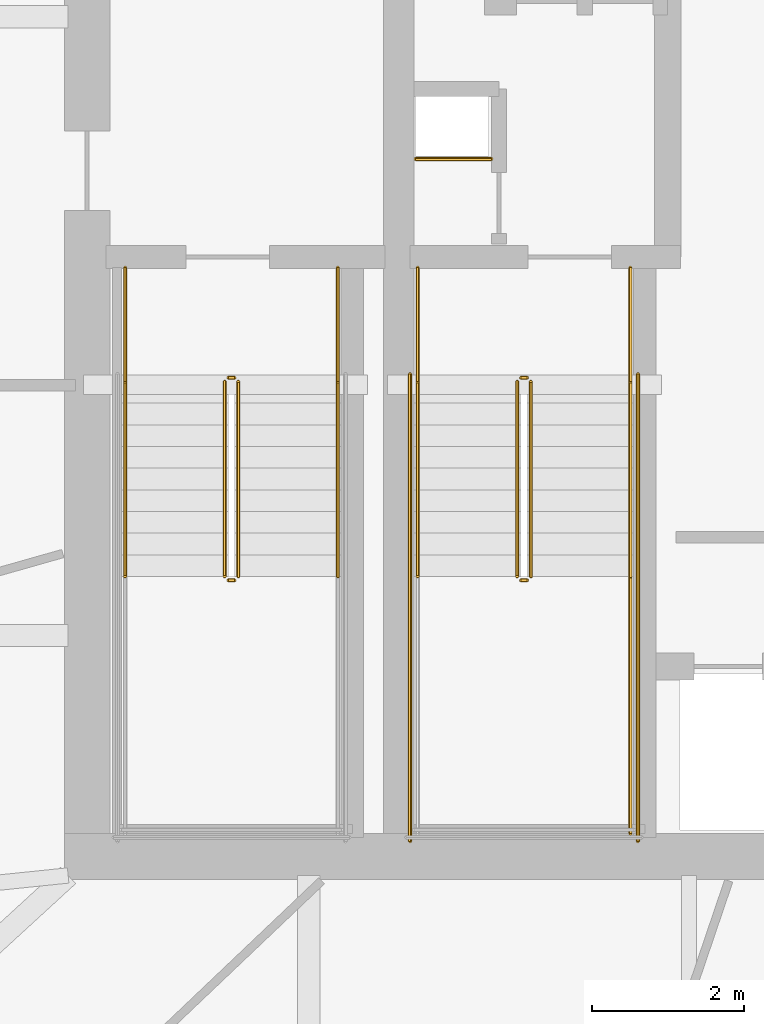
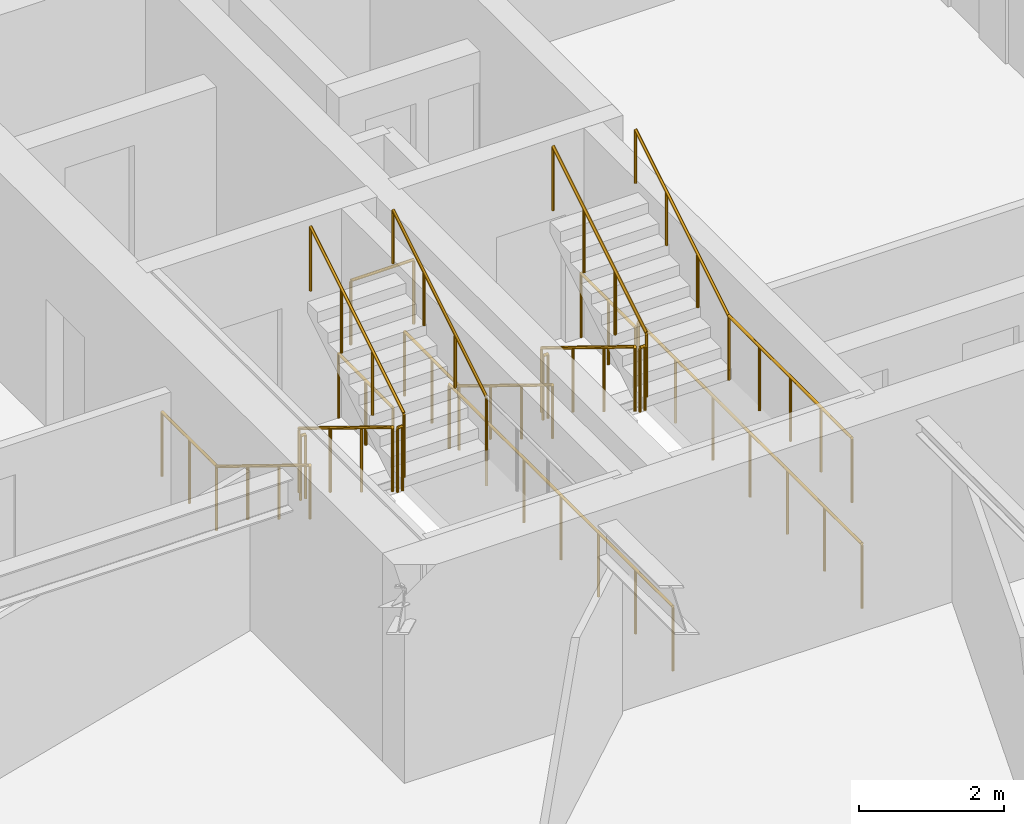
# One storey, part 20 of 22: 20 railings.
"""IFC4 building model written with IfcOpenShell, lengths in metres."""

import ifcopenshell
import ifcopenshell.guid

model = None  # the IFC model being written
_history = None  # IfcOwnerHistory: only IFC2X3 demands one
_inside = {}  # id of a spatial element -> (the spatial element, [elements in it])
_under = {}  # id of a project, library or spatial element -> (it, [spatial elements below it])
_declared = {}  # id of a project -> (the project, [libraries it declares])
_typed = {}  # id of a type object -> (the type object, [elements of that type])
_made_of = {}  # id of a material, layer set ... -> (it, [elements and type objects made of it])


def new_model(schema):
    """Start an empty IFC model of exactly this schema.

    Asked for "IFC4X3", IfcOpenShell would pick the latest addendum, in which some entities
    have other attributes; the version numbers below select the first issue.
    IFC2X3 requires an IfcOwnerHistory on every rooted entity: one is made here for all.
    """
    global model, _history
    if schema == "IFC4X3":
        model = ifcopenshell.file(schema_version=(4, 3, 0, 0))
    else:
        model = ifcopenshell.file(schema=schema)
    _inside.clear()
    _under.clear()
    _declared.clear()
    _typed.clear()
    _made_of.clear()
    _history = None
    if model.schema == "IFC2X3":
        org = make("IfcOrganization", Name="unknown")
        user = make(
            "IfcPersonAndOrganization",
            ThePerson=make("IfcPerson", FamilyName="unknown"),
            TheOrganization=org,
        )
        app = make(
            "IfcApplication",
            ApplicationDeveloper=org,
            Version="unknown",
            ApplicationFullName="unknown",
            ApplicationIdentifier="unknown",
        )
        _history = make(
            "IfcOwnerHistory",
            OwningUser=user,
            OwningApplication=app,
            ChangeAction="ADDED",
            CreationDate=0,
        )
    return model


def make(cls, **values):
    """One entity of the class cls with the attributes given. An attribute that is None is left unset."""
    return model.create_entity(
        cls, **{name: value for name, value in values.items() if value is not None}
    )


def rooted(cls, **values):
    """An entity with a GlobalId (a new one), such as an element, a storey or a relation."""
    return make(cls, GlobalId=ifcopenshell.guid.new(), OwnerHistory=_history, **values)


def si_unit(unit_type, name, prefix=None):
    """IfcSIUnit, for example si_unit("LENGTHUNIT", "METRE", prefix="MILLI")."""
    return make("IfcSIUnit", UnitType=unit_type, Prefix=prefix, Name=name)


def assignment(units):
    """IfcUnitAssignment: the units of a project."""
    return None if units is None else make("IfcUnitAssignment", Units=units)


def point(xyz):
    """IfcCartesianPoint."""
    return None if xyz is None else make("IfcCartesianPoint", Coordinates=xyz)


def direction(xyz):
    """IfcDirection."""
    return None if xyz is None else make("IfcDirection", DirectionRatios=xyz)


def frame(location, z_axis=None, x_axis=None):
    """IfcAxis2Placement3D, a coordinate frame: its origin and axes. An axis left out is left unset."""
    return make(
        "IfcAxis2Placement3D",
        Location=point(location),
        Axis=direction(z_axis),
        RefDirection=direction(x_axis),
    )


def frame_2d(location, x_axis=None):
    """IfcAxis2Placement2D, a coordinate frame in the plane: its origin and x axis."""
    return make(
        "IfcAxis2Placement2D", Location=point(location), RefDirection=direction(x_axis)
    )


def origin():
    """The frame at (0, 0, 0) with its axes left unset."""
    return frame((0.0, 0.0, 0.0))


def origin_2d():
    """The frame at (0, 0) in the plane with its x axis left unset."""
    return frame_2d((0.0, 0.0))


def place(relative_to, where):
    """IfcLocalPlacement: puts the frame where relative to a parent placement (None: the world)."""
    return make(
        "IfcLocalPlacement", PlacementRelTo=relative_to, RelativePlacement=where
    )


def context(
    kind, dimensions, precision=None, world=None, true_north=None, identifier=None
):
    """IfcGeometricRepresentationContext, for example the 3D "Model" context."""
    return make(
        "IfcGeometricRepresentationContext",
        ContextIdentifier=identifier,
        ContextType=kind,
        CoordinateSpaceDimension=dimensions,
        Precision=precision,
        WorldCoordinateSystem=world,
        TrueNorth=true_north,
    )


def subcontext(parent, identifier, kind, view, scale=None):
    """IfcGeometricRepresentationSubContext, for example "Body" below "Model"."""
    return make(
        "IfcGeometricRepresentationSubContext",
        ContextIdentifier=identifier,
        ContextType=kind,
        ParentContext=parent,
        TargetScale=scale,
        TargetView=view,
    )


def project(units=None, contexts=None):
    """IfcProject with its units and contexts."""
    return rooted(
        "IfcProject",
        Name="project",
        RepresentationContexts=contexts,
        UnitsInContext=assignment(units),
    )


def spatial(cls, under=None, at=None, **own):
    """A site, building, storey or space (cls), placed at a placement, below another one or the project."""
    s = rooted(cls, ObjectPlacement=at, **own)
    if under is not None:
        _under.setdefault(under.id(), (under, []))[1].append(s)
    return s


def profile(cls, at=None, kind="AREA", **sizes):
    """A parametric profile (cls). Its sizes go by their IFC names, for example OverallWidth=200.0."""
    return make(cls, ProfileType=kind, Position=at, **sizes)


def circle(**sizes):
    """IfcCircleProfileDef."""
    return profile("IfcCircleProfileDef", **sizes)


def extrude(swept, where, along, depth):
    """IfcExtrudedAreaSolid: the profile swept, set in the frame where, extruded along a direction by depth."""
    return make(
        "IfcExtrudedAreaSolid",
        SweptArea=swept,
        Position=where,
        ExtrudedDirection=direction(along),
        Depth=depth,
    )


def shape(context_of_items, identifier, shape_type, items):
    """IfcShapeRepresentation: the items that make up one representation, for example the "Body"."""
    return make(
        "IfcShapeRepresentation",
        ContextOfItems=context_of_items,
        RepresentationIdentifier=identifier,
        RepresentationType=shape_type,
        Items=items,
    )


def material(Name=None, Category=None):
    """IfcMaterial."""
    return make("IfcMaterial", Name=Name, Category=Category)


def made_of(thing, what):
    """Note that an element or type object is made of a material, layer set ...; save() writes the relation."""
    if what is not None:
        _made_of.setdefault(what.id(), (what, []))[1].append(thing)
    return thing


def type_object(cls, material=None, **own):
    """A type object (cls), such as IfcWallType, which elements share."""
    return made_of(rooted(cls, **own), material)


def element(
    cls,
    number,
    at=None,
    inside=None,
    cuts=None,
    type_object=None,
    material=None,
    context=None,
    identifier="Body",
    shape_type=None,
    held_by="IfcProductDefinitionShape",
    body=None,
    shapes=None,
    **own,
):
    """One element of the class cls, such as IfcWall. Its Tag is "e" and its number.

    at: its placement. inside: the storey or other place that contains it. cuts: it is an
    opening in that element (IfcRelVoidsElement). A single representation is given by context,
    identifier, shape_type and body (its items); several are given by shapes. held_by: the class
    of the entity that holds the representations. save() writes the other relations.
    """
    e = rooted(cls, Tag="e%d" % number, ObjectPlacement=at, **own)
    if body is not None:
        shapes = [shape(context, identifier, shape_type, body)]
    if shapes is not None:
        e.Representation = make(held_by, Representations=shapes)
    if inside is not None:
        _inside.setdefault(inside.id(), (inside, []))[1].append(e)
    if cuts is not None:
        rooted(
            "IfcRelVoidsElement", RelatingBuildingElement=cuts, RelatedOpeningElement=e
        )
    if type_object is not None:
        _typed.setdefault(type_object.id(), (type_object, []))[1].append(e)
    return made_of(e, material)


def aggregate(whole, parts):
    """IfcRelAggregates: a whole, such as a stair, and the parts it consists of."""
    return rooted("IfcRelAggregates", RelatingObject=whole, RelatedObjects=parts)


def save(model, path):
    """Write the relations noted so far, then the file.

    IfcRelAggregates (storeys below a building ...), IfcRelContainedInSpatialStructure (elements
    in a storey), IfcRelDefinesByType, IfcRelAssociatesMaterial and IfcRelDeclares: one each for
    every whole, place, type object, material and project.
    """
    for whole, parts in _under.values():
        aggregate(whole, parts)
    for where, things in _inside.values():
        rooted(
            "IfcRelContainedInSpatialStructure",
            RelatedElements=things,
            RelatingStructure=where,
        )
    for kind, things in _typed.values():
        rooted("IfcRelDefinesByType", RelatedObjects=things, RelatingType=kind)
    for what, things in _made_of.values():
        rooted("IfcRelAssociatesMaterial", RelatedObjects=things, RelatingMaterial=what)
    for by, libraries in _declared.values():
        rooted("IfcRelDeclares", RelatingContext=by, RelatedDefinitions=libraries)
    model.write(path)


model = new_model("IFC4")

# Units and contexts
model_context = context("Model", 3, precision=1e-05, world=origin(), true_north=direction((0.0, 1.0)))
body_context = subcontext(model_context, "Body", "Model", "MODEL_VIEW")
ifc_project = project(units=[si_unit("LENGTHUNIT", "METRE"), si_unit("AREAUNIT", "SQUARE_METRE"), si_unit("VOLUMEUNIT", "CUBIC_METRE"), si_unit("PLANEANGLEUNIT", "RADIAN"), si_unit("MASSUNIT", "GRAM", prefix="KILO")], contexts=[model_context])

# Site, building, storey
site_placement = place(None, origin())
site = spatial("IfcSite", under=ifc_project, at=site_placement, CompositionType="ELEMENT")
building_placement = place(site_placement, origin())
building = spatial("IfcBuilding", under=site, at=building_placement, Name="Bramvorn Convention Spire", CompositionType="ELEMENT")
storey_placement = place(building_placement, frame((0.0, 0.0, 116.800048828125)))
storey = spatial("IfcBuildingStorey", under=building, at=storey_placement, Name="L28", CompositionType="ELEMENT", Elevation=116.800048828125)

# Railings
ifc_material_1 = material(Name="Painted Steel Balustrade & Guardrail", Category="steel")
railing_type_1 = type_object("IfcRailingType", Name="RL-STAIR-GUARD-1100", PredefinedType="GUARDRAIL", material=ifc_material_1)
railing_1_placement = place(storey_placement, frame((28.81005859375, 25.050048828125, 0.175048828125)))
element("IfcRailing", 1, at=railing_1_placement, inside=storey, type_object=railing_type_1, Name="L28 ST1 stair guard 1", PredefinedType="GUARDRAIL", context=body_context, shape_type="SweptSolid", body=[
    extrude(circle(Radius=0.02392578125, at=origin_2d()), frame((0.0, 0.0, 1.076171875), z_axis=(0.0, -0.852173129349, 0.523259933127), x_axis=(1.0, 0.0, 0.0)), (0.0, 0.0, 1.0), 3.009765625),
    extrude(circle(Radius=0.02099609375, at=origin_2d()), origin(), (0.0, 0.0, 1.0), 1.052001953125),
    extrude(circle(Radius=0.02099609375, at=origin_2d()), frame((0.0, -0.85498046875, 0.52490234375)), (0.0, 0.0, 1.0), 1.052001953125),
    extrude(circle(Radius=0.02099609375, at=origin_2d()), frame((0.0, -1.7099609375, 1.050048828125)), (0.0, 0.0, 1.0), 1.052001953125),
    extrude(circle(Radius=0.02099609375, at=origin_2d()), frame((0.0, -2.56494140625, 1.574951171875)), (0.0, 0.0, 1.0), 1.052001953125),
])
railing_2_placement = place(storey_placement, frame((28.860107421875, 22.43505859375, 1.75)))
element("IfcRailing", 2, at=railing_2_placement, inside=storey, type_object=railing_type_1, Name="L28 ST1 stair guard 2", PredefinedType="GUARDRAIL", context=body_context, shape_type="SweptSolid", body=[
    extrude(circle(Radius=0.02392578125, at=origin_2d()), frame((0.0, 0.0, 1.076171875), z_axis=(1.0, 0.0, 0.0), x_axis=(0.0, 1.0, 0.0)), (0.0, 0.0, 1.0), 0.079833984375),
    extrude(circle(Radius=0.02099609375, at=origin_2d()), origin(), (0.0, 0.0, 1.0), 1.052001953125),
    extrude(circle(Radius=0.02099609375, at=origin_2d()), frame((0.079833984375, 0.0, 0.0)), (0.0, 0.0, 1.0), 1.052001953125),
])
railing_3_placement = place(storey_placement, frame((28.989990234375, 22.485107421875, 1.925048828125)))
element("IfcRailing", 3, at=railing_3_placement, inside=storey, type_object=railing_type_1, Name="L28 ST1 stair guard 6", PredefinedType="GUARDRAIL", context=body_context, shape_type="SweptSolid", body=[
    extrude(circle(Radius=0.02392578125, at=origin_2d()), frame((0.0, 0.0, 1.076171875), z_axis=(0.0, 0.852173129349, 0.523259933127), x_axis=(-1.0, 0.0, 0.0)), (0.0, 0.0, 1.0), 3.009765625),
    extrude(circle(Radius=0.02099609375, at=origin_2d()), origin(), (0.0, 0.0, 1.0), 1.052001953125),
    extrude(circle(Radius=0.02099609375, at=origin_2d()), frame((0.0, 0.85498046875, 0.52490234375)), (0.0, 0.0, 1.0), 1.052001953125),
    extrude(circle(Radius=0.02099609375, at=origin_2d()), frame((0.0, 1.7099609375, 1.050048828125)), (0.0, 0.0, 1.0), 1.052001953125),
    extrude(circle(Radius=0.02099609375, at=origin_2d()), frame((0.0, 2.56494140625, 1.574951171875)), (0.0, 0.0, 1.0), 1.052001953125),
])
railing_4_placement = place(storey_placement, frame((28.860107421875, 25.10009765625, 0.0)))
element("IfcRailing", 4, at=railing_4_placement, inside=storey, type_object=railing_type_1, Name="L28 ST1 stair guard 7", PredefinedType="GUARDRAIL", context=body_context, shape_type="SweptSolid", body=[
    extrude(circle(Radius=0.02392578125, at=origin_2d()), frame((0.0, 0.0, 1.076171875), z_axis=(1.0, 0.0, 0.0), x_axis=(0.0, 1.0, 0.0)), (0.0, 0.0, 1.0), 0.079833984375),
    extrude(circle(Radius=0.02099609375, at=origin_2d()), origin(), (0.0, 0.0, 1.0), 1.052001953125),
    extrude(circle(Radius=0.02099609375, at=origin_2d()), frame((0.079833984375, 0.0, 0.0)), (0.0, 0.0, 1.0), 1.052001953125),
])
for number, where, name in (
    (5, (27.5, 26.550048828125, 0.0), "L28 ST1 stair guard 8"),
    (6, (30.300048828125, 26.550048828125, 0.0), "L28 ST1 stair guard 9"),
):
    element("IfcRailing", number, at=place(storey_placement, frame(where)), inside=storey, type_object=railing_type_1, Name=name, PredefinedType="GUARDRAIL", context=body_context, shape_type="SweptSolid", body=[
        extrude(circle(Radius=0.02392578125, at=origin_2d()), frame((0.0, 0.0, 1.076171875), z_axis=(0.0, -1.0, 0.0), x_axis=(1.0, 0.0, 0.0)), (0.0, 0.0, 1.0), 1.5),
        extrude(circle(Radius=0.02099609375, at=origin_2d()), origin(), (0.0, 0.0, 1.0), 1.052001953125),
        extrude(circle(Radius=0.02099609375, at=origin_2d()), frame((0.0, -0.75, 0.0)), (0.0, 0.0, 1.0), 1.052001953125),
        extrude(circle(Radius=0.02099609375, at=origin_2d()), frame((0.0, -1.5, 0.0)), (0.0, 0.0, 1.0), 1.052001953125),
    ])
railing_5_placement = place(storey_placement, frame((32.659912109375, 25.050048828125, 0.175048828125)))
element("IfcRailing", 7, at=railing_5_placement, inside=storey, type_object=railing_type_1, Name="L28 ST3 stair guard 1", PredefinedType="GUARDRAIL", context=body_context, shape_type="SweptSolid", body=[
    extrude(circle(Radius=0.02392578125, at=origin_2d()), frame((0.0, 0.0, 1.076171875), z_axis=(0.0, -0.852173129349, 0.523259933127), x_axis=(1.0, 0.0, 0.0)), (0.0, 0.0, 1.0), 3.009765625),
    extrude(circle(Radius=0.02099609375, at=origin_2d()), origin(), (0.0, 0.0, 1.0), 1.052001953125),
    extrude(circle(Radius=0.02099609375, at=origin_2d()), frame((0.0, -0.85498046875, 0.52490234375)), (0.0, 0.0, 1.0), 1.052001953125),
    extrude(circle(Radius=0.02099609375, at=origin_2d()), frame((0.0, -1.7099609375, 1.050048828125)), (0.0, 0.0, 1.0), 1.052001953125),
    extrude(circle(Radius=0.02099609375, at=origin_2d()), frame((0.0, -2.56494140625, 1.574951171875)), (0.0, 0.0, 1.0), 1.052001953125),
])
railing_6_placement = place(storey_placement, frame((32.7099609375, 22.43505859375, 1.75)))
element("IfcRailing", 8, at=railing_6_placement, inside=storey, type_object=railing_type_1, Name="L28 ST3 stair guard 2", PredefinedType="GUARDRAIL", context=body_context, shape_type="SweptSolid", body=[
    extrude(circle(Radius=0.02392578125, at=origin_2d()), frame((0.0, 0.0, 1.076171875), z_axis=(1.0, 0.0, 0.0), x_axis=(0.0, 1.0, 0.0)), (0.0, 0.0, 1.0), 0.080078125),
    extrude(circle(Radius=0.02099609375, at=origin_2d()), origin(), (0.0, 0.0, 1.0), 1.052001953125),
    extrude(circle(Radius=0.02099609375, at=origin_2d()), frame((0.080078125, 0.0, 0.0)), (0.0, 0.0, 1.0), 1.052001953125),
])
railing_7_placement = place(storey_placement, frame((34.14990234375, 22.485107421875, 1.75)))
element("IfcRailing", 9, at=railing_7_placement, inside=storey, type_object=railing_type_1, Name="L28 ST3 stair guard 4", PredefinedType="GUARDRAIL", context=body_context, shape_type="SweptSolid", body=[
    extrude(circle(Radius=0.02392578125, at=origin_2d()), frame((0.0, 0.0, 1.076171875), z_axis=(0.0, -1.0, 0.0), x_axis=(1.0, 0.0, 0.0)), (0.0, 0.0, 1.0), 3.385009765625),
    extrude(circle(Radius=0.02099609375, at=origin_2d()), origin(), (0.0, 0.0, 1.0), 1.052001953125),
    extrude(circle(Radius=0.02099609375, at=origin_2d()), frame((0.0, -0.84619140625, 0.0)), (0.0, 0.0, 1.0), 1.052001953125),
    extrude(circle(Radius=0.02099609375, at=origin_2d()), frame((0.0, -1.6923828125, 0.0)), (0.0, 0.0, 1.0), 1.052001953125),
    extrude(circle(Radius=0.02099609375, at=origin_2d()), frame((0.0, -2.538818359375, 0.0)), (0.0, 0.0, 1.0), 1.052001953125),
    extrude(circle(Radius=0.02099609375, at=origin_2d()), frame((0.0, -3.385009765625, 0.0)), (0.0, 0.0, 1.0), 1.052001953125),
])
railing_8_placement = place(storey_placement, frame((32.840087890625, 22.485107421875, 1.925048828125)))
element("IfcRailing", 10, at=railing_8_placement, inside=storey, type_object=railing_type_1, Name="L28 ST3 stair guard 6", PredefinedType="GUARDRAIL", context=body_context, shape_type="SweptSolid", body=[
    extrude(circle(Radius=0.02392578125, at=origin_2d()), frame((0.0, 0.0, 1.076171875), z_axis=(0.0, 0.852173129349, 0.523259933127), x_axis=(-1.0, 0.0, 0.0)), (0.0, 0.0, 1.0), 3.009765625),
    extrude(circle(Radius=0.02099609375, at=origin_2d()), origin(), (0.0, 0.0, 1.0), 1.052001953125),
    extrude(circle(Radius=0.02099609375, at=origin_2d()), frame((0.0, 0.85498046875, 0.52490234375)), (0.0, 0.0, 1.0), 1.052001953125),
    extrude(circle(Radius=0.02099609375, at=origin_2d()), frame((0.0, 1.7099609375, 1.050048828125)), (0.0, 0.0, 1.0), 1.052001953125),
    extrude(circle(Radius=0.02099609375, at=origin_2d()), frame((0.0, 2.56494140625, 1.574951171875)), (0.0, 0.0, 1.0), 1.052001953125),
])
railing_9_placement = place(storey_placement, frame((32.7099609375, 25.10009765625, 0.0)))
element("IfcRailing", 11, at=railing_9_placement, inside=storey, type_object=railing_type_1, Name="L28 ST3 stair guard 7", PredefinedType="GUARDRAIL", context=body_context, shape_type="SweptSolid", body=[
    extrude(circle(Radius=0.02392578125, at=origin_2d()), frame((0.0, 0.0, 1.076171875), z_axis=(1.0, 0.0, 0.0), x_axis=(0.0, 1.0, 0.0)), (0.0, 0.0, 1.0), 0.080078125),
    extrude(circle(Radius=0.02099609375, at=origin_2d()), origin(), (0.0, 0.0, 1.0), 1.052001953125),
    extrude(circle(Radius=0.02099609375, at=origin_2d()), frame((0.080078125, 0.0, 0.0)), (0.0, 0.0, 1.0), 1.052001953125),
])
for number, where, name in (
    (12, (31.35009765625, 26.550048828125, 0.0), "L28 ST3 stair guard 8"),
    (13, (34.14990234375, 26.550048828125, 0.0), "L28 ST3 stair guard 9"),
):
    element("IfcRailing", number, at=place(storey_placement, frame(where)), inside=storey, type_object=railing_type_1, Name=name, PredefinedType="GUARDRAIL", context=body_context, shape_type="SweptSolid", body=[
        extrude(circle(Radius=0.02392578125, at=origin_2d()), frame((0.0, 0.0, 1.076171875), z_axis=(0.0, -1.0, 0.0), x_axis=(1.0, 0.0, 0.0)), (0.0, 0.0, 1.0), 1.5),
        extrude(circle(Radius=0.02099609375, at=origin_2d()), origin(), (0.0, 0.0, 1.0), 1.052001953125),
        extrude(circle(Radius=0.02099609375, at=origin_2d()), frame((0.0, -0.75, 0.0)), (0.0, 0.0, 1.0), 1.052001953125),
        extrude(circle(Radius=0.02099609375, at=origin_2d()), frame((0.0, -1.5, 0.0)), (0.0, 0.0, 1.0), 1.052001953125),
    ])
for number, where, name in (
    (14, (31.25, 25.14990234375, 0.0), "L28 ST3 stair guard 10"),
    (15, (34.25, 25.14990234375, 0.0), "L28 ST3 stair guard 11"),
):
    element("IfcRailing", number, at=place(storey_placement, frame(where)), inside=storey, type_object=railing_type_1, Name=name, PredefinedType="GUARDRAIL", context=body_context, shape_type="SweptSolid", body=[
        extrude(circle(Radius=0.02392578125, at=origin_2d()), frame((0.0, 0.0, 1.076171875), z_axis=(0.0, -1.0, 0.0), x_axis=(1.0, 0.0, 0.0)), (0.0, 0.0, 1.0), 6.14990234375),
        extrude(circle(Radius=0.02099609375, at=origin_2d()), origin(), (0.0, 0.0, 1.0), 1.052001953125),
        extrude(circle(Radius=0.02099609375, at=origin_2d()), frame((0.0, -1.02490234375, 0.0)), (0.0, 0.0, 1.0), 1.052001953125),
        extrude(circle(Radius=0.02099609375, at=origin_2d()), frame((0.0, -2.050048828125, 0.0)), (0.0, 0.0, 1.0), 1.052001953125),
        extrude(circle(Radius=0.02099609375, at=origin_2d()), frame((0.0, -3.074951171875, 0.0)), (0.0, 0.0, 1.0), 1.052001953125),
        extrude(circle(Radius=0.02099609375, at=origin_2d()), frame((0.0, -4.099853515625, 0.0)), (0.0, 0.0, 1.0), 1.052001953125),
        extrude(circle(Radius=0.02099609375, at=origin_2d()), frame((0.0, -5.125, 0.0)), (0.0, 0.0, 1.0), 1.052001953125),
        extrude(circle(Radius=0.02099609375, at=origin_2d()), frame((0.0, -6.14990234375, 0.0)), (0.0, 0.0, 1.0), 1.052001953125),
    ])
railing_10_placement = place(storey_placement, frame((31.320068359375, 27.97998046875, 0.0)))
element("IfcRailing", 16, at=railing_10_placement, inside=storey, type_object=railing_type_1, Name="L28 Telecom riser shaft opening safety guardrail", PredefinedType="GUARDRAIL", context=body_context, shape_type="SweptSolid", body=[
    extrude(circle(Radius=0.02392578125, at=origin_2d()), frame((0.0, 0.0, 1.076171875), z_axis=(1.0, 0.0, 0.0), x_axis=(0.0, 1.0, 0.0)), (0.0, 0.0, 1.0), 1.0),
    extrude(circle(Radius=0.02099609375, at=origin_2d()), origin(), (0.0, 0.0, 1.0), 1.052001953125),
    extrude(circle(Radius=0.02099609375, at=origin_2d()), frame((1.0, 0.0, 0.0)), (0.0, 0.0, 1.0), 1.052001953125),
])
ifc_material_2 = material(Name="Brushed Bronze Tubular Handrail", Category="aluminium")
railing_type_2 = type_object("IfcRailingType", Name="RL-STAIR-HR-920", PredefinedType="HANDRAIL", material=ifc_material_2)
railing_11_placement = place(storey_placement, frame((27.5, 25.050048828125, 0.175048828125)))
element("IfcRailing", 17, at=railing_11_placement, inside=storey, type_object=railing_type_2, Name="L28 ST1 stair handrail 1", PredefinedType="HANDRAIL", context=body_context, shape_type="SweptSolid", body=[
    extrude(circle(Radius=0.02392578125, at=origin_2d()), frame((0.0, 0.0, 0.89599609375), z_axis=(0.0, -0.852173129349, 0.523259933127), x_axis=(1.0, 0.0, 0.0)), (0.0, 0.0, 1.0), 3.009765625),
    extrude(circle(Radius=0.02099609375, at=origin_2d()), origin(), (0.0, 0.0, 1.0), 0.871826171875),
    extrude(circle(Radius=0.02099609375, at=origin_2d()), frame((0.0, -0.85498046875, 0.52490234375)), (0.0, 0.0, 1.0), 0.871826171875),
    extrude(circle(Radius=0.02099609375, at=origin_2d()), frame((0.0, -1.7099609375, 1.050048828125)), (0.0, 0.0, 1.0), 0.871826171875),
    extrude(circle(Radius=0.02099609375, at=origin_2d()), frame((0.0, -2.56494140625, 1.574951171875)), (0.0, 0.0, 1.0), 0.871826171875),
])
railing_12_placement = place(storey_placement, frame((30.300048828125, 22.485107421875, 1.925048828125)))
element("IfcRailing", 18, at=railing_12_placement, inside=storey, type_object=railing_type_2, Name="L28 ST1 stair handrail 2", PredefinedType="HANDRAIL", context=body_context, shape_type="SweptSolid", body=[
    extrude(circle(Radius=0.02392578125, at=origin_2d()), frame((0.0, 0.0, 0.89599609375), z_axis=(0.0, 0.852173129349, 0.523259933127), x_axis=(-1.0, 0.0, 0.0)), (0.0, 0.0, 1.0), 3.009765625),
    extrude(circle(Radius=0.02099609375, at=origin_2d()), origin(), (0.0, 0.0, 1.0), 0.871826171875),
    extrude(circle(Radius=0.02099609375, at=origin_2d()), frame((0.0, 0.85498046875, 0.52490234375)), (0.0, 0.0, 1.0), 0.871826171875),
    extrude(circle(Radius=0.02099609375, at=origin_2d()), frame((0.0, 1.7099609375, 1.050048828125)), (0.0, 0.0, 1.0), 0.871826171875),
    extrude(circle(Radius=0.02099609375, at=origin_2d()), frame((0.0, 2.56494140625, 1.574951171875)), (0.0, 0.0, 1.0), 0.871826171875),
])
railing_13_placement = place(storey_placement, frame((31.35009765625, 25.050048828125, 0.175048828125)))
element("IfcRailing", 19, at=railing_13_placement, inside=storey, type_object=railing_type_2, Name="L28 ST3 stair handrail 1", PredefinedType="HANDRAIL", context=body_context, shape_type="SweptSolid", body=[
    extrude(circle(Radius=0.02392578125, at=origin_2d()), frame((0.0, 0.0, 0.89599609375), z_axis=(0.0, -0.852173129349, 0.523259933127), x_axis=(1.0, 0.0, 0.0)), (0.0, 0.0, 1.0), 3.009765625),
    extrude(circle(Radius=0.02099609375, at=origin_2d()), origin(), (0.0, 0.0, 1.0), 0.871826171875),
    extrude(circle(Radius=0.02099609375, at=origin_2d()), frame((0.0, -0.85498046875, 0.52490234375)), (0.0, 0.0, 1.0), 0.871826171875),
    extrude(circle(Radius=0.02099609375, at=origin_2d()), frame((0.0, -1.7099609375, 1.050048828125)), (0.0, 0.0, 1.0), 0.871826171875),
    extrude(circle(Radius=0.02099609375, at=origin_2d()), frame((0.0, -2.56494140625, 1.574951171875)), (0.0, 0.0, 1.0), 0.871826171875),
])
railing_14_placement = place(storey_placement, frame((34.14990234375, 22.485107421875, 1.925048828125)))
element("IfcRailing", 20, at=railing_14_placement, inside=storey, type_object=railing_type_2, Name="L28 ST3 stair handrail 2", PredefinedType="HANDRAIL", context=body_context, shape_type="SweptSolid", body=[
    extrude(circle(Radius=0.02392578125, at=origin_2d()), frame((0.0, 0.0, 0.89599609375), z_axis=(0.0, 0.852173129349, 0.523259933127), x_axis=(-1.0, 0.0, 0.0)), (0.0, 0.0, 1.0), 3.009765625),
    extrude(circle(Radius=0.02099609375, at=origin_2d()), origin(), (0.0, 0.0, 1.0), 0.871826171875),
    extrude(circle(Radius=0.02099609375, at=origin_2d()), frame((0.0, 0.85498046875, 0.52490234375)), (0.0, 0.0, 1.0), 0.871826171875),
    extrude(circle(Radius=0.02099609375, at=origin_2d()), frame((0.0, 1.7099609375, 1.050048828125)), (0.0, 0.0, 1.0), 0.871826171875),
    extrude(circle(Radius=0.02099609375, at=origin_2d()), frame((0.0, 2.56494140625, 1.574951171875)), (0.0, 0.0, 1.0), 0.871826171875),
])

save(model, "model.ifc")
